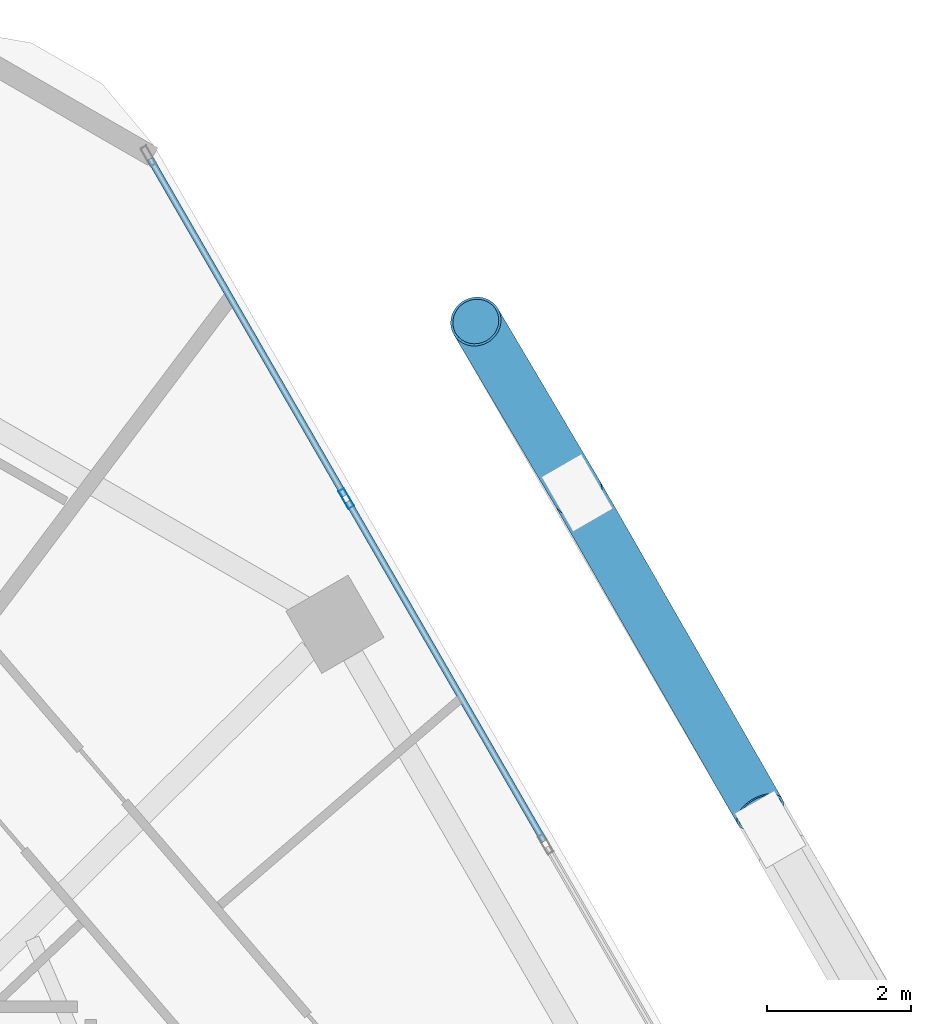
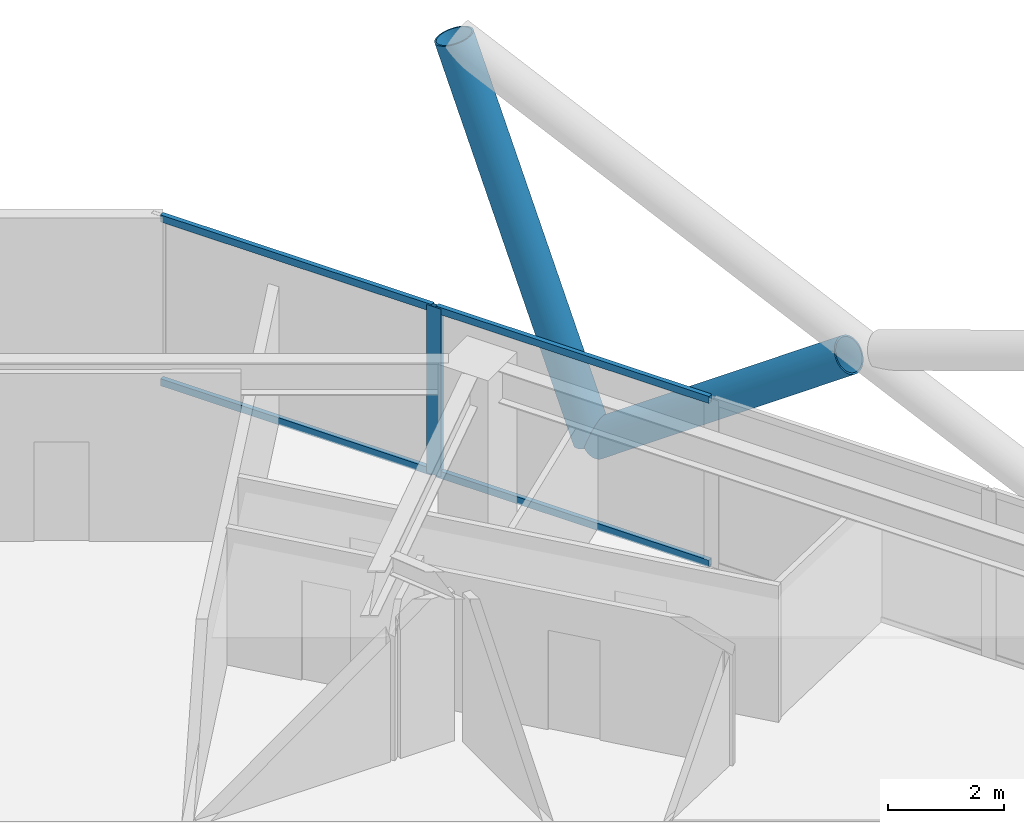
# One storey, part 19 of 29: 7 members, 1 element without a shape of its own.
"""IFC4 building model written with IfcOpenShell, lengths in metres."""

from ifc_helpers import new_model, si_unit, direction, frame, origin, origin_2d, place, context, subcontext, project, spatial, hollow_rectangle, hollow_circle, extrude, material, material_profile, profile_set, type_object, element, aggregate, save


model = new_model("IFC4")

# Units and contexts
model_context = context("Model", 3, precision=1e-05, world=origin(), true_north=direction((0.0, 1.0)))
body_context = subcontext(model_context, "Body", "Model", "MODEL_VIEW")
ifc_project = project(units=[si_unit("LENGTHUNIT", "METRE"), si_unit("AREAUNIT", "SQUARE_METRE"), si_unit("VOLUMEUNIT", "CUBIC_METRE"), si_unit("PLANEANGLEUNIT", "RADIAN"), si_unit("MASSUNIT", "GRAM", prefix="KILO")], contexts=[model_context])

# Site, building, storey
site_placement = place(None, origin())
site = spatial("IfcSite", under=ifc_project, at=site_placement, CompositionType="ELEMENT")
building_placement = place(site_placement, origin())
building = spatial("IfcBuilding", under=site, at=building_placement, Name="Zuhravey Tower", CompositionType="ELEMENT")
storey_placement = place(building_placement, frame((0.0, 0.0, 184.60009765625)))
storey = spatial("IfcBuildingStorey", under=building, at=storey_placement, Name="L46", CompositionType="ELEMENT", Elevation=184.60009765625)

# Curtain wall, members
ifc_material_1 = material(Name="Thermally broken anodised aluminium", Category="aluminium")
curtain_wall_type = type_object("IfcCurtainWallType", Name="Zone 1-2 Residential Curtain Wall CW3", PredefinedType="NOTDEFINED", material=ifc_material_1)
curtain_wall_placement = place(storey_placement, origin())
curtain_wall = element("IfcCurtainWall", 1, at=curtain_wall_placement, inside=storey, type_object=curtain_wall_type, Name="L46 CW3 CW-L46-F1-1", PredefinedType="NOTDEFINED")
ifc_material_2 = material(Name="Anodised aluminium", Category="aluminium")
ifc_material_profile_1 = material_profile(ifc_material_2, hollow_rectangle(XDim=0.090087890625, YDim=0.284912109375, WallThickness=0.0048828125, at=origin_2d()), Name="ALU-RHS-90x285x5")
ifc_profile_set_1 = profile_set([ifc_material_profile_1], Name="Anodised aluminium")
member_type_1 = type_object("IfcMemberType", Name="Curtain-Wall Mullion 90x180", PredefinedType="MULLION", material=ifc_profile_set_1)
member_1_placement = place(storey_placement, frame((55.3828125, 52.7939453125, 0.0), z_axis=(0.0, 0.0, 1.0), x_axis=(0.866025138215, 0.500000459979, 0.0)))
member_1 = element("IfcMember", 2, at=member_1_placement, type_object=member_type_1, Name="CW3 mullion 2", PredefinedType="MULLION", context=body_context, shape_type="SweptSolid", body=[
    extrude(hollow_rectangle(XDim=0.090087890625, YDim=0.284912109375, WallThickness=0.0048828125, at=origin_2d()), origin(), (0.0, 0.0, 1.0), 3.5498046875),
])
ifc_material_profile_2 = material_profile(ifc_material_2, hollow_rectangle(XDim=0.090087890625, YDim=0.14990234375, WallThickness=0.0048828125, at=origin_2d()), Name="ALU-RHS-90x150x5")
ifc_profile_set_2 = profile_set([ifc_material_profile_2], Name="Anodised aluminium")
member_type_2 = type_object("IfcMemberType", Name="Curtain-Wall Transom 90x150", PredefinedType="USERDEFINED", material=ifc_profile_set_2)
member_2_placement = place(storey_placement, frame((52.65576171875, 57.517578125, 0.044921875), z_axis=(0.499993332629, -0.866029253159, 0.0), x_axis=(0.866029253159, 0.499993332629, 0.0)))
member_2 = element("IfcMember", 3, at=member_2_placement, type_object=member_type_2, Name="CW3 transom 1.1", ObjectType="TRANSOM", PredefinedType="USERDEFINED", context=body_context, shape_type="SweptSolid", body=[
    extrude(hollow_rectangle(XDim=0.090087890625, YDim=0.14990234375, WallThickness=0.0048828125, at=origin_2d()), origin(), (0.0, 0.0, 1.0), 5.4091796875),
])
member_3_placement = place(storey_placement, frame((52.65576171875, 57.517578125, 3.5048828125), z_axis=(0.499993332629, -0.866029253159, 0.0), x_axis=(0.866029253159, 0.499993332629, 0.0)))
member_3 = element("IfcMember", 4, at=member_3_placement, type_object=member_type_2, Name="CW3 transom 1.2", ObjectType="TRANSOM", PredefinedType="USERDEFINED", context=body_context, shape_type="SweptSolid", body=[
    extrude(hollow_rectangle(XDim=0.090087890625, YDim=0.14990234375, WallThickness=0.0048828125, at=origin_2d()), origin(), (0.0, 0.0, 1.0), 5.4091796875),
])
member_4_placement = place(storey_placement, frame((55.405517578125, 52.755126953125, 0.044921875), z_axis=(0.49996138257, -0.86604769842, 0.0), x_axis=(0.86604769842, 0.49996138257, 0.0)))
member_4 = element("IfcMember", 5, at=member_4_placement, type_object=member_type_2, Name="CW3 transom 2.1", ObjectType="TRANSOM", PredefinedType="USERDEFINED", context=body_context, shape_type="SweptSolid", body=[
    extrude(hollow_rectangle(XDim=0.090087890625, YDim=0.14990234375, WallThickness=0.0048828125, at=origin_2d()), origin(), (0.0, 0.0, 1.0), 5.45458984375),
])
member_5_placement = place(storey_placement, frame((55.405517578125, 52.755126953125, 3.5048828125), z_axis=(0.49996138257, -0.86604769842, 0.0), x_axis=(0.86604769842, 0.49996138257, 0.0)))
member_5 = element("IfcMember", 6, at=member_5_placement, type_object=member_type_2, Name="CW3 transom 2.2", ObjectType="TRANSOM", PredefinedType="USERDEFINED", context=body_context, shape_type="SweptSolid", body=[
    extrude(hollow_rectangle(XDim=0.090087890625, YDim=0.14990234375, WallThickness=0.0048828125, at=origin_2d()), origin(), (0.0, 0.0, 1.0), 5.45458984375),
])
aggregate(curtain_wall, [member_1, member_2, member_3, member_4, member_5])

# Members
ifc_material_3 = material(Name="Steel SM460", Category="steel")
ifc_material_profile_3 = material_profile(ifc_material_3, hollow_circle(Radius=0.355712890625, WallThickness=0.031982421875, at=origin_2d()), Name="CHS-711.2x32")
ifc_profile_set_3 = profile_set([ifc_material_profile_3], Name="Steel SM460")
member_type_3 = type_object("IfcMemberType", Name="Exoskeleton Zone 2 Diagrid CHS711x32", PredefinedType="BRACE", material=ifc_profile_set_3)
member_6_placement = place(storey_placement, frame((58.58935546875, 52.88037109375, -0.444091796875), z_axis=(-0.174643023153, 0.295076026787, 0.939377428343), x_axis=(-0.8605687688, -0.509334265651, 0.0)))
element("IfcMember", 7, at=member_6_placement, inside=storey, type_object=member_type_3, Name="L46 Face 1 Diagrid Brace 4", PredefinedType="BRACE", context=body_context, shape_type="SweptSolid", body=[
    extrude(hollow_circle(Radius=0.355712890625, WallThickness=0.031982421875, at=origin_2d()), origin(), (0.0, 0.0, 1.0), 8.0478515625),
])
member_7_placement = place(storey_placement, frame((58.6123046875, 52.84033203125, -0.436767578125), z_axis=(0.406784247849, -0.709108472675, 0.5759268614), x_axis=(0.867409677622, 0.497594665535, 0.0)))
element("IfcMember", 8, at=member_7_placement, inside=storey, type_object=member_type_3, Name="L46 Face 1 Split Diagrid Brace 3A", PredefinedType="BRACE", context=body_context, shape_type="SweptSolid", body=[
    extrude(hollow_circle(Radius=0.355712890625, WallThickness=0.031982421875, at=origin_2d()), origin(), (0.0, 0.0, 1.0), 6.205078125),
])

save(model, "model.ifc")
